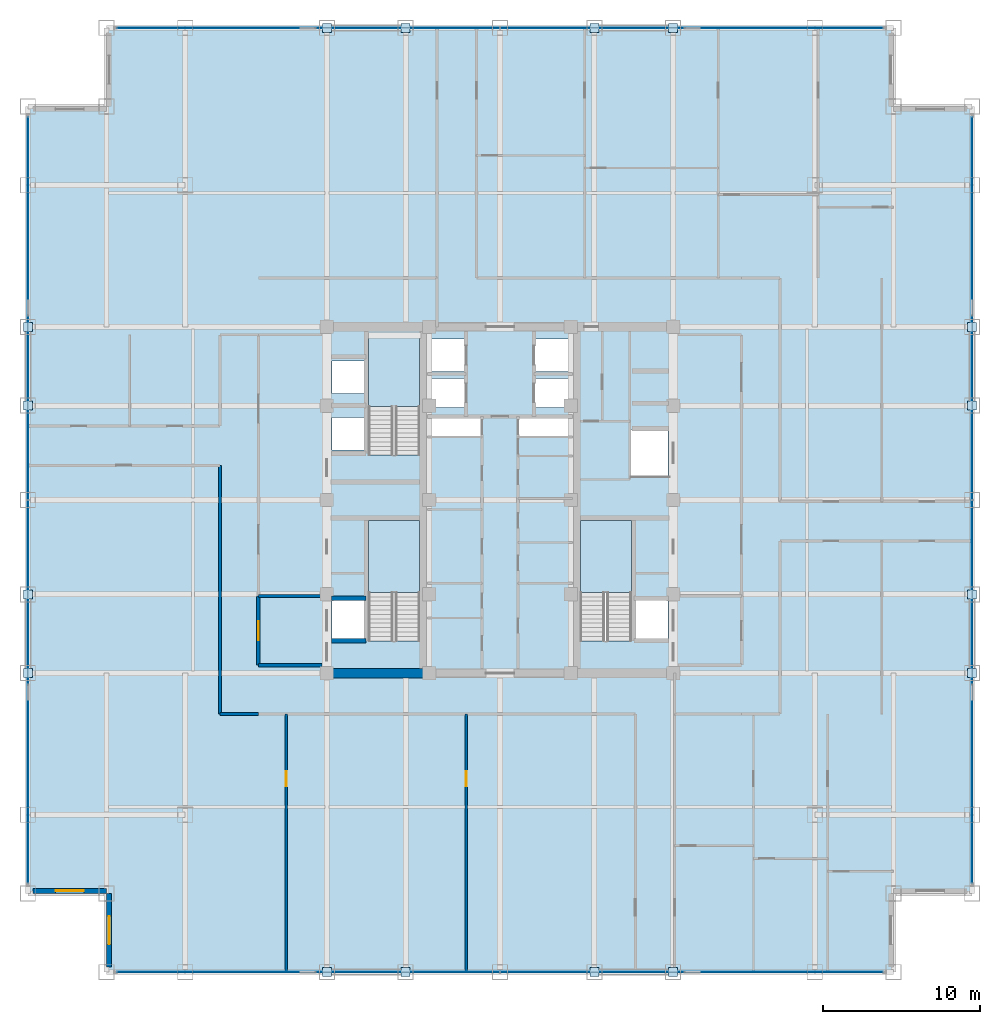
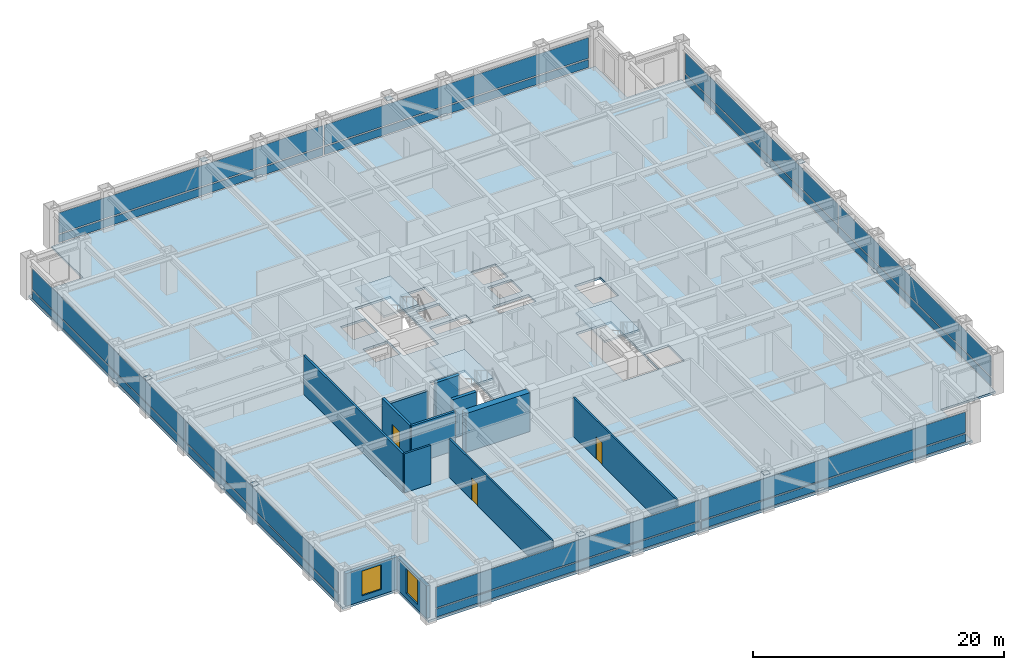
# One storey, part 19 of 25: 32 plates, 12 walls, 4 slabs, 3 doors, 2 windows, 5 openings, 7 elements without a shape of their own.
"""IFC4 building model written with IfcOpenShell, lengths in metres."""

import ifcopenshell
import ifcopenshell.guid

model = None  # the IFC model being written
_history = None  # IfcOwnerHistory: only IFC2X3 demands one
_inside = {}  # id of a spatial element -> (the spatial element, [elements in it])
_under = {}  # id of a project, library or spatial element -> (it, [spatial elements below it])
_declared = {}  # id of a project -> (the project, [libraries it declares])
_typed = {}  # id of a type object -> (the type object, [elements of that type])
_made_of = {}  # id of a material, layer set ... -> (it, [elements and type objects made of it])


def new_model(schema):
    """Start an empty IFC model of exactly this schema.

    Asked for "IFC4X3", IfcOpenShell would pick the latest addendum, in which some entities
    have other attributes; the version numbers below select the first issue.
    IFC2X3 requires an IfcOwnerHistory on every rooted entity: one is made here for all.
    """
    global model, _history
    if schema == "IFC4X3":
        model = ifcopenshell.file(schema_version=(4, 3, 0, 0))
    else:
        model = ifcopenshell.file(schema=schema)
    _inside.clear()
    _under.clear()
    _declared.clear()
    _typed.clear()
    _made_of.clear()
    _history = None
    if model.schema == "IFC2X3":
        org = make("IfcOrganization", Name="unknown")
        user = make(
            "IfcPersonAndOrganization",
            ThePerson=make("IfcPerson", FamilyName="unknown"),
            TheOrganization=org,
        )
        app = make(
            "IfcApplication",
            ApplicationDeveloper=org,
            Version="unknown",
            ApplicationFullName="unknown",
            ApplicationIdentifier="unknown",
        )
        _history = make(
            "IfcOwnerHistory",
            OwningUser=user,
            OwningApplication=app,
            ChangeAction="ADDED",
            CreationDate=0,
        )
    return model


def make(cls, **values):
    """One entity of the class cls with the attributes given. An attribute that is None is left unset."""
    return model.create_entity(
        cls, **{name: value for name, value in values.items() if value is not None}
    )


def rooted(cls, **values):
    """An entity with a GlobalId (a new one), such as an element, a storey or a relation."""
    return make(cls, GlobalId=ifcopenshell.guid.new(), OwnerHistory=_history, **values)


def si_unit(unit_type, name, prefix=None):
    """IfcSIUnit, for example si_unit("LENGTHUNIT", "METRE", prefix="MILLI")."""
    return make("IfcSIUnit", UnitType=unit_type, Prefix=prefix, Name=name)


def assignment(units):
    """IfcUnitAssignment: the units of a project."""
    return None if units is None else make("IfcUnitAssignment", Units=units)


def point(xyz):
    """IfcCartesianPoint."""
    return None if xyz is None else make("IfcCartesianPoint", Coordinates=xyz)


def direction(xyz):
    """IfcDirection."""
    return None if xyz is None else make("IfcDirection", DirectionRatios=xyz)


def frame(location, z_axis=None, x_axis=None):
    """IfcAxis2Placement3D, a coordinate frame: its origin and axes. An axis left out is left unset."""
    return make(
        "IfcAxis2Placement3D",
        Location=point(location),
        Axis=direction(z_axis),
        RefDirection=direction(x_axis),
    )


def frame_2d(location, x_axis=None):
    """IfcAxis2Placement2D, a coordinate frame in the plane: its origin and x axis."""
    return make(
        "IfcAxis2Placement2D", Location=point(location), RefDirection=direction(x_axis)
    )


def origin():
    """The frame at (0, 0, 0) with its axes left unset."""
    return frame((0.0, 0.0, 0.0))


def origin_2d():
    """The frame at (0, 0) in the plane with its x axis left unset."""
    return frame_2d((0.0, 0.0))


def place(relative_to, where):
    """IfcLocalPlacement: puts the frame where relative to a parent placement (None: the world)."""
    return make(
        "IfcLocalPlacement", PlacementRelTo=relative_to, RelativePlacement=where
    )


def context(
    kind, dimensions, precision=None, world=None, true_north=None, identifier=None
):
    """IfcGeometricRepresentationContext, for example the 3D "Model" context."""
    return make(
        "IfcGeometricRepresentationContext",
        ContextIdentifier=identifier,
        ContextType=kind,
        CoordinateSpaceDimension=dimensions,
        Precision=precision,
        WorldCoordinateSystem=world,
        TrueNorth=true_north,
    )


def subcontext(parent, identifier, kind, view, scale=None):
    """IfcGeometricRepresentationSubContext, for example "Body" below "Model"."""
    return make(
        "IfcGeometricRepresentationSubContext",
        ContextIdentifier=identifier,
        ContextType=kind,
        ParentContext=parent,
        TargetScale=scale,
        TargetView=view,
    )


def project(units=None, contexts=None):
    """IfcProject with its units and contexts."""
    return rooted(
        "IfcProject",
        Name="project",
        RepresentationContexts=contexts,
        UnitsInContext=assignment(units),
    )


def spatial(cls, under=None, at=None, **own):
    """A site, building, storey or space (cls), placed at a placement, below another one or the project."""
    s = rooted(cls, ObjectPlacement=at, **own)
    if under is not None:
        _under.setdefault(under.id(), (under, []))[1].append(s)
    return s


def polyline(points):
    """IfcPolyline through the points."""
    return make("IfcPolyline", Points=[point(p) for p in points])


def profile(cls, at=None, kind="AREA", **sizes):
    """A parametric profile (cls). Its sizes go by their IFC names, for example OverallWidth=200.0."""
    return make(cls, ProfileType=kind, Position=at, **sizes)


def rectangle(**sizes):
    """IfcRectangleProfileDef."""
    return profile("IfcRectangleProfileDef", **sizes)


def outline(outer, holes=None, kind="AREA"):
    """IfcArbitraryClosedProfileDef: a profile drawn as a closed curve; with holes, ...WithVoids."""
    if holes is None:
        return make("IfcArbitraryClosedProfileDef", ProfileType=kind, OuterCurve=outer)
    return make(
        "IfcArbitraryProfileDefWithVoids",
        ProfileType=kind,
        OuterCurve=outer,
        InnerCurves=holes,
    )


def extrude(swept, where, along, depth):
    """IfcExtrudedAreaSolid: the profile swept, set in the frame where, extruded along a direction by depth."""
    return make(
        "IfcExtrudedAreaSolid",
        SweptArea=swept,
        Position=where,
        ExtrudedDirection=direction(along),
        Depth=depth,
    )


def shape(context_of_items, identifier, shape_type, items):
    """IfcShapeRepresentation: the items that make up one representation, for example the "Body"."""
    return make(
        "IfcShapeRepresentation",
        ContextOfItems=context_of_items,
        RepresentationIdentifier=identifier,
        RepresentationType=shape_type,
        Items=items,
    )


def source(mapping_origin, context_of_items, identifier, shape_type, items):
    """IfcRepresentationMap: a shape defined once, which mapped items show again and again."""
    return make(
        "IfcRepresentationMap",
        MappingOrigin=mapping_origin,
        MappedRepresentation=shape(context_of_items, identifier, shape_type, items),
    )


def transform(
    local_origin,
    x_axis=None,
    y_axis=None,
    z_axis=None,
    scale=None,
    scale2=None,
    scale3=None,
    uniform=True,
):
    """IfcCartesianTransformationOperator3D, or its non-uniform kind. x_axis, y_axis, z_axis: its Axis1, 2, 3."""
    if uniform:
        return make(
            "IfcCartesianTransformationOperator3D",
            Axis1=direction(x_axis),
            Axis2=direction(y_axis),
            LocalOrigin=point(local_origin),
            Scale=scale,
            Axis3=direction(z_axis),
        )
    return make(
        "IfcCartesianTransformationOperator3DnonUniform",
        Axis1=direction(x_axis),
        Axis2=direction(y_axis),
        LocalOrigin=point(local_origin),
        Scale=scale,
        Axis3=direction(z_axis),
        Scale2=scale2,
        Scale3=scale3,
    )


def mapped(mapping_source, mapping_target):
    """IfcMappedItem: shows the shape of a source again, moved by a transform."""
    return make(
        "IfcMappedItem", MappingSource=mapping_source, MappingTarget=mapping_target
    )


def material(Name=None, Category=None):
    """IfcMaterial."""
    return make("IfcMaterial", Name=Name, Category=Category)


def layer(
    of_material, thickness, ventilated=None, Name=None, Category=None, Priority=None
):
    """IfcMaterialLayer: one layer of a wall or slab, of a material (None: an air gap)."""
    return make(
        "IfcMaterialLayer",
        Material=of_material,
        LayerThickness=thickness,
        IsVentilated=ventilated,
        Name=Name,
        Category=Category,
        Priority=Priority,
    )


def layer_set(layers, Name=None):
    """IfcMaterialLayerSet."""
    return make("IfcMaterialLayerSet", MaterialLayers=layers, LayerSetName=Name)


def made_of(thing, what):
    """Note that an element or type object is made of a material, layer set ...; save() writes the relation."""
    if what is not None:
        _made_of.setdefault(what.id(), (what, []))[1].append(thing)
    return thing


def type_object(cls, material=None, **own):
    """A type object (cls), such as IfcWallType, which elements share."""
    return made_of(rooted(cls, **own), material)


def element(
    cls,
    number,
    at=None,
    inside=None,
    cuts=None,
    type_object=None,
    material=None,
    context=None,
    identifier="Body",
    shape_type=None,
    held_by="IfcProductDefinitionShape",
    body=None,
    shapes=None,
    **own,
):
    """One element of the class cls, such as IfcWall. Its Tag is "e" and its number.

    at: its placement. inside: the storey or other place that contains it. cuts: it is an
    opening in that element (IfcRelVoidsElement). A single representation is given by context,
    identifier, shape_type and body (its items); several are given by shapes. held_by: the class
    of the entity that holds the representations. save() writes the other relations.
    """
    e = rooted(cls, Tag="e%d" % number, ObjectPlacement=at, **own)
    if body is not None:
        shapes = [shape(context, identifier, shape_type, body)]
    if shapes is not None:
        e.Representation = make(held_by, Representations=shapes)
    if inside is not None:
        _inside.setdefault(inside.id(), (inside, []))[1].append(e)
    if cuts is not None:
        rooted(
            "IfcRelVoidsElement", RelatingBuildingElement=cuts, RelatedOpeningElement=e
        )
    if type_object is not None:
        _typed.setdefault(type_object.id(), (type_object, []))[1].append(e)
    return made_of(e, material)


def fill(opening, filler):
    """IfcRelFillsElement: the door or window that sits in an opening."""
    return rooted(
        "IfcRelFillsElement",
        RelatingOpeningElement=opening,
        RelatedBuildingElement=filler,
    )


def aggregate(whole, parts):
    """IfcRelAggregates: a whole, such as a stair, and the parts it consists of."""
    return rooted("IfcRelAggregates", RelatingObject=whole, RelatedObjects=parts)


def save(model, path):
    """Write the relations noted so far, then the file.

    IfcRelAggregates (storeys below a building ...), IfcRelContainedInSpatialStructure (elements
    in a storey), IfcRelDefinesByType, IfcRelAssociatesMaterial and IfcRelDeclares: one each for
    every whole, place, type object, material and project.
    """
    for whole, parts in _under.values():
        aggregate(whole, parts)
    for where, things in _inside.values():
        rooted(
            "IfcRelContainedInSpatialStructure",
            RelatedElements=things,
            RelatingStructure=where,
        )
    for kind, things in _typed.values():
        rooted("IfcRelDefinesByType", RelatedObjects=things, RelatingType=kind)
    for what, things in _made_of.values():
        rooted("IfcRelAssociatesMaterial", RelatedObjects=things, RelatingMaterial=what)
    for by, libraries in _declared.values():
        rooted("IfcRelDeclares", RelatingContext=by, RelatedDefinitions=libraries)
    model.write(path)


model = new_model("IFC4")

# Units and contexts
model_context = context("Model", 3, precision=1e-05, world=origin(), true_north=direction((0.0, 1.0)))
body_context = subcontext(model_context, "Body", "Model", "MODEL_VIEW")
ifc_project = project(units=[si_unit("LENGTHUNIT", "METRE"), si_unit("AREAUNIT", "SQUARE_METRE"), si_unit("VOLUMEUNIT", "CUBIC_METRE"), si_unit("PLANEANGLEUNIT", "RADIAN"), si_unit("MASSUNIT", "GRAM", prefix="KILO")], contexts=[model_context])

# Site, building, storey
site_placement = place(None, origin())
site = spatial("IfcSite", under=ifc_project, at=site_placement, CompositionType="ELEMENT")
building_placement = place(site_placement, origin())
building = spatial("IfcBuilding", under=site, at=building_placement, Name="Khorayat Bourse Tower", CompositionType="ELEMENT")
storey_placement = place(building_placement, frame((0.0, 0.0, 255.10009765625)))
storey = spatial("IfcBuildingStorey", under=building, at=storey_placement, Name="L60", CompositionType="ELEMENT", Elevation=255.10009765625)

# Stair, slab
ifc_material_1 = material(Name="Concrete C40/50", Category="concrete")
stair_type = type_object("IfcStairType", Name="STR-CORE-1550", PredefinedType="HALF_TURN_STAIR", material=ifc_material_1)
stair_1_placement = place(storey_placement, origin())
stair_1 = element("IfcStair", 1, at=stair_1_placement, inside=storey, type_object=stair_type, Name="L60 Exit Stair ST-1", PredefinedType="HALF_TURN_STAIR")
ifc_layer_1 = layer(ifc_material_1, 0.199951171875)
ifc_layer_set_1 = layer_set([ifc_layer_1], Name="Concrete C40/50")
slab_type_1 = type_object("IfcSlabType", Name="SLB-LANDING-200", PredefinedType="LANDING", material=ifc_layer_set_1)
slab_1_placement = place(storey_placement, frame((0.0, 0.0, 1.7998046875)))
slab_1 = element("IfcSlab", 2, at=slab_1_placement, type_object=slab_type_1, Name="ST-1 landing 1", PredefinedType="LANDING", context=body_context, shape_type="SweptSolid", body=[
    extrude(outline(polyline([(-5.10009765625, -5.8701171875), (-5.10009765625, -1.300048828125), (-8.35009765625, -1.300048828125), (-8.35009765625, -5.8701171875), (-5.10009765625, -5.8701171875)])), origin(), (0.0, 0.0, 1.0), 0.2001953125),
])
aggregate(stair_1, [slab_1])

stair_2_placement = place(storey_placement, origin())
stair_2 = element("IfcStair", 3, at=stair_2_placement, inside=storey, type_object=stair_type, Name="L60 Exit Stair ST-2", PredefinedType="HALF_TURN_STAIR")
slab_2_placement = place(storey_placement, frame((0.0, 0.0, 1.7998046875)))
slab_2 = element("IfcSlab", 4, at=slab_2_placement, type_object=slab_type_1, Name="ST-2 landing 1", PredefinedType="LANDING", context=body_context, shape_type="SweptSolid", body=[
    extrude(outline(polyline([(-5.10009765625, 5.929931640625), (-5.10009765625, 10.5), (-8.35009765625, 10.5), (-8.35009765625, 5.929931640625), (-5.10009765625, 5.929931640625)])), origin(), (0.0, 0.0, 1.0), 0.2001953125),
])
aggregate(stair_2, [slab_2])

stair_3_placement = place(storey_placement, origin())
stair_3 = element("IfcStair", 5, at=stair_3_placement, inside=storey, type_object=stair_type, Name="L60 Exit Stair ST-3", PredefinedType="HALF_TURN_STAIR")
slab_3_placement = place(storey_placement, frame((0.0, 0.0, 1.7998046875)))
slab_3 = element("IfcSlab", 6, at=slab_3_placement, type_object=slab_type_1, Name="ST-3 landing 1", PredefinedType="LANDING", context=body_context, shape_type="SweptSolid", body=[
    extrude(outline(polyline([(8.35009765625, -5.8701171875), (8.35009765625, -1.300048828125), (5.10009765625, -1.300048828125), (5.10009765625, -5.8701171875), (8.35009765625, -5.8701171875)])), origin(), (0.0, 0.0, 1.0), 0.2001953125),
])
aggregate(stair_3, [slab_3])

# Slab
ifc_layer_2 = layer(ifc_material_1, 0.219970703125)
ifc_layer_set_2 = layer_set([ifc_layer_2], Name="Concrete C40/50")
slab_type_2 = type_object("IfcSlabType", Name="SLB-OFFICE-220", PredefinedType="FLOOR", material=ifc_layer_set_2)
slab_4_placement = place(storey_placement, frame((0.0, 0.0, -0.22021484375)))
element("IfcSlab", 7, at=slab_4_placement, inside=storey, type_object=slab_type_2, Name="L60 Main Floor Slab", PredefinedType="FLOOR", context=body_context, shape_type="SweptSolid", body=[
    extrude(outline(polyline([(-25.0, -30.0), (25.0, -30.0), (25.0, -25.0), (30.0, -25.0), (30.0, 25.0), (25.0, 25.0), (25.0, 30.0), (-25.0, 30.0), (-25.0, 25.0), (-30.0, 25.0), (-30.0, -25.0), (-25.0, -25.0), (-25.0, -30.0)]), holes=[polyline([(-8.35009765625, -8.945068359375), (-5.10009765625, -8.945068359375), (-5.10009765625, -1.300048828125), (-8.35009765625, -1.300048828125), (-8.35009765625, -8.945068359375)]), polyline([(-8.35009765625, 2.85498046875), (-5.10009765625, 2.85498046875), (-5.10009765625, 10.5), (-8.35009765625, 10.5), (-8.35009765625, 2.85498046875)]), polyline([(5.10009765625, -8.945068359375), (8.35009765625, -8.945068359375), (8.35009765625, -1.300048828125), (5.10009765625, -1.300048828125), (5.10009765625, -8.945068359375)]), polyline([(-4.3798828125, 8.169921875), (-2.1201171875, 8.169921875), (-2.1201171875, 10.22998046875), (-4.3798828125, 10.22998046875), (-4.3798828125, 8.169921875)]), polyline([(2.1201171875, 8.169921875), (4.3798828125, 8.169921875), (4.3798828125, 10.22998046875), (2.1201171875, 10.22998046875), (2.1201171875, 8.169921875)]), polyline([(-4.3798828125, 5.8701171875), (-2.219970703125, 5.8701171875), (-2.219970703125, 7.72998046875), (-4.3798828125, 7.72998046875), (-4.3798828125, 5.8701171875)]), polyline([(2.219970703125, 5.8701171875), (4.3798828125, 5.8701171875), (4.3798828125, 7.72998046875), (2.219970703125, 7.72998046875), (2.219970703125, 5.8701171875)]), polyline([(-10.679931640625, 3.169921875), (-8.419921875, 3.169921875), (-8.419921875, 5.22998046875), (-10.679931640625, 5.22998046875), (-10.679931640625, 3.169921875)]), polyline([(-10.679931640625, 6.77001953125), (-8.419921875, 6.77001953125), (-8.419921875, 8.830078125), (-10.679931640625, 8.830078125), (-10.679931640625, 6.77001953125)]), polyline([(-10.679931640625, -8.929931640625), (-8.419921875, -8.929931640625), (-8.419921875, -6.3701171875), (-10.679931640625, -6.3701171875), (-10.679931640625, -8.929931640625)]), polyline([(8.419921875, -8.929931640625), (10.679931640625, -8.929931640625), (10.679931640625, -6.3701171875), (8.419921875, -6.3701171875), (8.419921875, -8.929931640625)]), polyline([(8.320068359375, 1.52001953125), (10.679931640625, 1.52001953125), (10.679931640625, 4.47998046875), (8.320068359375, 4.47998046875), (8.320068359375, 1.52001953125)]), polyline([(-4.56005859375, 4.080078125), (-1.18994140625, 4.080078125), (-1.18994140625, 5.219970703125), (-4.56005859375, 5.219970703125), (-4.56005859375, 4.080078125)]), polyline([(1.18994140625, 4.080078125), (4.56005859375, 4.080078125), (4.56005859375, 5.219970703125), (1.18994140625, 5.219970703125), (1.18994140625, 4.080078125)])]), origin(), (0.0, 0.0, 1.0), 0.22021484375),
])

# Plates
ifc_material_2 = material(Name="Steel EN 10025-2 S355J2", Category="steel")
ifc_layer_3 = layer(ifc_material_2, 0.02490234375)
ifc_layer_set_3 = layer_set([ifc_layer_3], Name="Steel EN 10025-2 S355J2")
plate_type_1 = type_object("IfcPlateType", Name="PLT-ENDCAP-25", PredefinedType="SHEET", material=ifc_layer_set_3)
shared_shape_1 = source(origin(), body_context, "Body", "SweptSolid", [
    extrude(rectangle(XDim=0.56005859375, YDim=0.56005859375, at=origin_2d()), origin(), (0.0, 0.0, 1.0), 0.02490234375),
])
for number, where, z_axis, x_axis, name in (
    (8, (-11.0, -30.0, 3.517333984375), (0.0, 0.0, 1.0), (1.0, 0.0, 0.0), "L60 Perimeter Brace End Plate 001"),
    (9, (-6.0, -30.0, 0.237548828125), (0.0, 0.0, 1.0), (1.0, 0.0, 0.0), "L60 Perimeter Brace End Plate 002"),
    (10, (6.0, -30.0, 3.517333984375), (0.0, 0.0, 1.0), (1.0, 0.0, 0.0), "L60 Perimeter Brace End Plate 003"),
    (11, (11.0, -30.0, 0.237548828125), (0.0, 0.0, 1.0), (1.0, 0.0, 0.0), "L60 Perimeter Brace End Plate 004"),
    (12, (-11.0, 30.0, 3.517333984375), (0.0, 0.0, 1.0), (1.0, 0.0, 0.0), "L60 Perimeter Brace End Plate 005"),
    (13, (-6.0, 30.0, 0.237548828125), (0.0, 0.0, 1.0), (1.0, 0.0, 0.0), "L60 Perimeter Brace End Plate 006"),
    (14, (6.0, 30.0, 3.517333984375), (0.0, 0.0, 1.0), (1.0, 0.0, 0.0), "L60 Perimeter Brace End Plate 007"),
    (15, (11.0, 30.0, 0.237548828125), (0.0, 0.0, 1.0), (1.0, 0.0, 0.0), "L60 Perimeter Brace End Plate 008"),
    (16, (-30.0, -11.0, 3.517333984375), (0.0, 0.0, 1.0), (1.0, 0.0, 0.0), "L60 Perimeter Brace End Plate 009"),
    (17, (-30.0, -6.0, 0.237548828125), (0.0, 0.0, 1.0), (1.0, 0.0, 0.0), "L60 Perimeter Brace End Plate 010"),
    (18, (-30.0, 6.0, 3.517333984375), (0.0, 0.0, 1.0), (1.0, 0.0, 0.0), "L60 Perimeter Brace End Plate 011"),
    (19, (-30.0, 11.0, 0.237548828125), (0.0, 0.0, 1.0), (1.0, 0.0, 0.0), "L60 Perimeter Brace End Plate 012"),
    (20, (30.0, -11.0, 3.517333984375), (0.0, 0.0, 1.0), (1.0, 0.0, 0.0), "L60 Perimeter Brace End Plate 013"),
    (21, (30.0, -6.0, 0.237548828125), (0.0, 0.0, 1.0), (1.0, 0.0, 0.0), "L60 Perimeter Brace End Plate 014"),
    (22, (30.0, 6.0, 3.517333984375), (0.0, 0.0, 1.0), (1.0, 0.0, 0.0), "L60 Perimeter Brace End Plate 015"),
    (23, (30.0, 11.0, 0.237548828125), (0.0, 0.0, 1.0), (1.0, 0.0, 0.0), "L60 Perimeter Brace End Plate 016"),
):
    element("IfcPlate", number, at=place(storey_placement, frame(where, z_axis=z_axis, x_axis=x_axis)), inside=storey, type_object=plate_type_1, Name=name, PredefinedType="SHEET", context=body_context, shape_type="MappedRepresentation", body=[
        mapped(shared_shape_1, transform((0.0, 0.0, 0.0), scale=1.0)),
    ])

# Curtain wall, plates
ifc_material_3 = material(Name="Aluminium EN AW-6063 T6", Category="aluminium")
curtain_wall_type = type_object("IfcCurtainWallType", Name="CW-SYS-03", PredefinedType="NOTDEFINED", material=ifc_material_3)
curtain_wall_1_placement = place(storey_placement, origin())
curtain_wall_1 = element("IfcCurtainWall", 24, at=curtain_wall_1_placement, inside=storey, type_object=curtain_wall_type, Name="L60 Curtain Wall CW-L60-S1", PredefinedType="NOTDEFINED")
ifc_material_4 = material(Name="Honed desert limestone insulated spandrel", Category="masonry")
ifc_layer_4 = layer(ifc_material_4, 0.06494140625)
ifc_layer_set_4 = layer_set([ifc_layer_4], Name="Honed desert limestone insulated spandrel")
plate_type_2 = type_object("IfcPlateType", Name="CWP-SPAND-03", PredefinedType="CURTAIN_PANEL", material=ifc_layer_set_4)
shared_shape_2 = source(origin(), body_context, "Body", "SweptSolid", [
    extrude(rectangle(XDim=24.27001953125, YDim=0.06494140625, at=origin_2d()), origin(), (0.0, 0.0, 1.0), 0.77001953125),
])
plate_1_placement = place(storey_placement, frame((-12.195068359375, -30.0, 0.119873046875), z_axis=(0.0, 0.0, 1.0), x_axis=(1.0, 0.0, 0.0)))
plate_1 = element("IfcPlate", 25, at=plate_1_placement, type_object=plate_type_2, Name="CW-L60-S1 Spandrel Panel 1-1", PredefinedType="CURTAIN_PANEL", context=body_context, shape_type="MappedRepresentation", body=[
    mapped(shared_shape_2, transform((0.0, 0.0, 0.0), scale=1.0)),
])
plate_2_placement = place(storey_placement, frame((12.195068359375, -30.0, 0.119873046875), z_axis=(0.0, 0.0, 1.0), x_axis=(1.0, 0.0, 0.0)))
plate_2 = element("IfcPlate", 26, at=plate_2_placement, type_object=plate_type_2, Name="CW-L60-S1 Spandrel Panel 2-1", PredefinedType="CURTAIN_PANEL", context=body_context, shape_type="MappedRepresentation", body=[
    mapped(shared_shape_2, transform((0.0, 0.0, 0.0), scale=1.0)),
])

curtain_wall_2_placement = place(storey_placement, origin())
curtain_wall_2 = element("IfcCurtainWall", 27, at=curtain_wall_2_placement, inside=storey, type_object=curtain_wall_type, Name="L60 Curtain Wall CW-L60-N1", PredefinedType="NOTDEFINED")
plate_3_placement = place(storey_placement, frame((-12.195068359375, 30.0, 0.119873046875), z_axis=(0.0, 0.0, 1.0), x_axis=(1.0, 0.0, 0.0)))
plate_3 = element("IfcPlate", 28, at=plate_3_placement, type_object=plate_type_2, Name="CW-L60-N1 Spandrel Panel 1-1", PredefinedType="CURTAIN_PANEL", context=body_context, shape_type="MappedRepresentation", body=[
    mapped(shared_shape_2, transform((0.0, 0.0, 0.0), scale=1.0)),
])
plate_4_placement = place(storey_placement, frame((12.195068359375, 30.0, 0.119873046875), z_axis=(0.0, 0.0, 1.0), x_axis=(1.0, 0.0, 0.0)))
plate_4 = element("IfcPlate", 29, at=plate_4_placement, type_object=plate_type_2, Name="CW-L60-N1 Spandrel Panel 2-1", PredefinedType="CURTAIN_PANEL", context=body_context, shape_type="MappedRepresentation", body=[
    mapped(shared_shape_2, transform((0.0, 0.0, 0.0), scale=1.0)),
])

curtain_wall_3_placement = place(storey_placement, origin())
curtain_wall_3 = element("IfcCurtainWall", 30, at=curtain_wall_3_placement, inside=storey, type_object=curtain_wall_type, Name="L60 Curtain Wall CW-L60-W1", PredefinedType="NOTDEFINED")
plate_5_placement = place(storey_placement, frame((-30.0, -12.195068359375, 0.119873046875), z_axis=(0.0, 0.0, 1.0), x_axis=(0.0, 1.0, 0.0)))
plate_5 = element("IfcPlate", 31, at=plate_5_placement, type_object=plate_type_2, Name="CW-L60-W1 Spandrel Panel 1-1", PredefinedType="CURTAIN_PANEL", context=body_context, shape_type="MappedRepresentation", body=[
    mapped(shared_shape_2, transform((0.0, 0.0, 0.0), scale=1.0)),
])
plate_6_placement = place(storey_placement, frame((-30.0, 12.195068359375, 0.119873046875), z_axis=(0.0, 0.0, 1.0), x_axis=(0.0, 1.0, 0.0)))
plate_6 = element("IfcPlate", 32, at=plate_6_placement, type_object=plate_type_2, Name="CW-L60-W1 Spandrel Panel 2-1", PredefinedType="CURTAIN_PANEL", context=body_context, shape_type="MappedRepresentation", body=[
    mapped(shared_shape_2, transform((0.0, 0.0, 0.0), scale=1.0)),
])

curtain_wall_4_placement = place(storey_placement, origin())
curtain_wall_4 = element("IfcCurtainWall", 33, at=curtain_wall_4_placement, inside=storey, type_object=curtain_wall_type, Name="L60 Curtain Wall CW-L60-E1", PredefinedType="NOTDEFINED")
plate_7_placement = place(storey_placement, frame((30.0, -12.195068359375, 0.119873046875), z_axis=(0.0, 0.0, 1.0), x_axis=(0.0, 1.0, 0.0)))
plate_7 = element("IfcPlate", 34, at=plate_7_placement, type_object=plate_type_2, Name="CW-L60-E1 Spandrel Panel 1-1", PredefinedType="CURTAIN_PANEL", context=body_context, shape_type="MappedRepresentation", body=[
    mapped(shared_shape_2, transform((0.0, 0.0, 0.0), scale=1.0)),
])
plate_8_placement = place(storey_placement, frame((30.0, 12.195068359375, 0.119873046875), z_axis=(0.0, 0.0, 1.0), x_axis=(0.0, 1.0, 0.0)))
plate_8 = element("IfcPlate", 35, at=plate_8_placement, type_object=plate_type_2, Name="CW-L60-E1 Spandrel Panel 2-1", PredefinedType="CURTAIN_PANEL", context=body_context, shape_type="MappedRepresentation", body=[
    mapped(shared_shape_2, transform((0.0, 0.0, 0.0), scale=1.0)),
])

# Plate
ifc_material_5 = material(Name="Low-E solar-control laminated double glazing", Category="glass")
ifc_layer_5 = layer(ifc_material_5, 0.035888671875)
ifc_layer_set_5 = layer_set([ifc_layer_5], Name="Low-E solar-control laminated double glazing")
plate_type_3 = type_object("IfcPlateType", Name="CWP-VIS-01", PredefinedType="CURTAIN_PANEL", material=ifc_layer_set_5)
shared_shape_3 = source(origin(), body_context, "Body", "SweptSolid", [
    extrude(rectangle(XDim=24.27001953125, YDim=0.035888671875, at=origin_2d()), origin(), (0.0, 0.0, 1.0), 2.0),
])
plate_9_placement = place(storey_placement, frame((-12.195068359375, -30.0, 1.010009765625), z_axis=(0.0, 0.0, 1.0), x_axis=(1.0, 0.0, 0.0)))
plate_9 = element("IfcPlate", 36, at=plate_9_placement, type_object=plate_type_3, Name="CW-L60-S1 Vision Panel 1-2", PredefinedType="CURTAIN_PANEL", context=body_context, shape_type="MappedRepresentation", body=[
    mapped(shared_shape_3, transform((0.0, 0.0, 0.0), scale=1.0)),
])

plate_10_placement = place(storey_placement, frame((12.195068359375, -30.0, 1.010009765625), z_axis=(0.0, 0.0, 1.0), x_axis=(1.0, 0.0, 0.0)))
plate_10 = element("IfcPlate", 37, at=plate_10_placement, type_object=plate_type_3, Name="CW-L60-S1 Vision Panel 2-2", PredefinedType="CURTAIN_PANEL", context=body_context, shape_type="MappedRepresentation", body=[
    mapped(shared_shape_3, transform((0.0, 0.0, 0.0), scale=1.0)),
])

aggregate(curtain_wall_1, [plate_1, plate_9, plate_2, plate_10])

plate_11_placement = place(storey_placement, frame((-12.195068359375, 30.0, 1.010009765625), z_axis=(0.0, 0.0, 1.0), x_axis=(1.0, 0.0, 0.0)))
plate_11 = element("IfcPlate", 38, at=plate_11_placement, type_object=plate_type_3, Name="CW-L60-N1 Vision Panel 1-2", PredefinedType="CURTAIN_PANEL", context=body_context, shape_type="MappedRepresentation", body=[
    mapped(shared_shape_3, transform((0.0, 0.0, 0.0), scale=1.0)),
])

plate_12_placement = place(storey_placement, frame((12.195068359375, 30.0, 1.010009765625), z_axis=(0.0, 0.0, 1.0), x_axis=(1.0, 0.0, 0.0)))
plate_12 = element("IfcPlate", 39, at=plate_12_placement, type_object=plate_type_3, Name="CW-L60-N1 Vision Panel 2-2", PredefinedType="CURTAIN_PANEL", context=body_context, shape_type="MappedRepresentation", body=[
    mapped(shared_shape_3, transform((0.0, 0.0, 0.0), scale=1.0)),
])

aggregate(curtain_wall_2, [plate_3, plate_11, plate_4, plate_12])

plate_13_placement = place(storey_placement, frame((-30.0, -12.195068359375, 1.010009765625), z_axis=(0.0, 0.0, 1.0), x_axis=(0.0, 1.0, 0.0)))
plate_13 = element("IfcPlate", 40, at=plate_13_placement, type_object=plate_type_3, Name="CW-L60-W1 Vision Panel 1-2", PredefinedType="CURTAIN_PANEL", context=body_context, shape_type="MappedRepresentation", body=[
    mapped(shared_shape_3, transform((0.0, 0.0, 0.0), scale=1.0)),
])

plate_14_placement = place(storey_placement, frame((-30.0, 12.195068359375, 1.010009765625), z_axis=(0.0, 0.0, 1.0), x_axis=(0.0, 1.0, 0.0)))
plate_14 = element("IfcPlate", 41, at=plate_14_placement, type_object=plate_type_3, Name="CW-L60-W1 Vision Panel 2-2", PredefinedType="CURTAIN_PANEL", context=body_context, shape_type="MappedRepresentation", body=[
    mapped(shared_shape_3, transform((0.0, 0.0, 0.0), scale=1.0)),
])

aggregate(curtain_wall_3, [plate_5, plate_13, plate_6, plate_14])

plate_15_placement = place(storey_placement, frame((30.0, -12.195068359375, 1.010009765625), z_axis=(0.0, 0.0, 1.0), x_axis=(0.0, 1.0, 0.0)))
plate_15 = element("IfcPlate", 42, at=plate_15_placement, type_object=plate_type_3, Name="CW-L60-E1 Vision Panel 1-2", PredefinedType="CURTAIN_PANEL", context=body_context, shape_type="MappedRepresentation", body=[
    mapped(shared_shape_3, transform((0.0, 0.0, 0.0), scale=1.0)),
])

plate_16_placement = place(storey_placement, frame((30.0, 12.195068359375, 1.010009765625), z_axis=(0.0, 0.0, 1.0), x_axis=(0.0, 1.0, 0.0)))
plate_16 = element("IfcPlate", 43, at=plate_16_placement, type_object=plate_type_3, Name="CW-L60-E1 Vision Panel 2-2", PredefinedType="CURTAIN_PANEL", context=body_context, shape_type="MappedRepresentation", body=[
    mapped(shared_shape_3, transform((0.0, 0.0, 0.0), scale=1.0)),
])

aggregate(curtain_wall_4, [plate_7, plate_15, plate_8, plate_16])

# Wall
ifc_material_6 = material(Name="Concrete C60/75", Category="concrete")
ifc_layer_6 = layer(ifc_material_6, 0.60009765625)
ifc_layer_set_6 = layer_set([ifc_layer_6], Name="Concrete C60/75")
wall_type_1 = type_object("IfcWallType", Name="WAL-CORE-600", PredefinedType="SHEAR", material=ifc_layer_set_6)
shared_shape_4 = source(origin(), body_context, "Body", "SweptSolid", [
    extrude(rectangle(XDim=5.89990234375, YDim=0.60009765625, at=frame_2d((2.949951171875, 0.0))), origin(), (0.0, 0.0, 1.0), 3.77978515625),
])
wall_1_placement = place(storey_placement, frame((-10.75, -11.0, 0.0), z_axis=(0.0, 0.0, 1.0), x_axis=(1.0, 0.0, 0.0)))
element("IfcWall", 44, at=wall_1_placement, inside=storey, type_object=wall_type_1, Name="L60 Core Shear Wall PIER-WS", PredefinedType="SHEAR", context=body_context, shape_type="MappedRepresentation", body=[
    mapped(shared_shape_4, transform((0.0, 0.0, 0.0), scale=1.0)),
])

# Wall, opening, window
ifc_material_7 = material(Name="Precast concrete C45/55", Category="concrete")
ifc_layer_7 = layer(ifc_material_7, 0.320068359375)
ifc_layer_set_7 = layer_set([ifc_layer_7], Name="Precast concrete C45/55")
wall_type_2 = type_object("IfcWallType", Name="WAL-EXT-STONE-320", PredefinedType="STANDARD", material=ifc_layer_set_7)
shared_shape_5 = source(origin(), body_context, "Body", "SweptSolid", [
    extrude(rectangle(XDim=4.679931640625, YDim=0.320068359375, at=frame_2d((2.33984375, 0.0))), origin(), (0.0, 0.0, 1.0), 3.163818359375),
])
wall_2_placement = place(storey_placement, frame((-25.0, -24.840087890625, 0.0), z_axis=(0.0, 0.0, 1.0), x_axis=(-1.0, 0.0, 0.0)))
wall_2 = element("IfcWall", 45, at=wall_2_placement, inside=storey, type_object=wall_type_2, Name="L60 Re-Entrant Notch Limestone Wall SW-H", PredefinedType="STANDARD", context=body_context, shape_type="MappedRepresentation", body=[
    mapped(shared_shape_5, transform((0.0, 0.0, 0.0), scale=1.0)),
])
shared_shape_6 = source(origin(), body_context, "Body", "SweptSolid", [
    extrude(rectangle(XDim=1.800048828125, YDim=2.39990234375, at=frame_2d((0.89990234375, 1.199951171875))), frame((0.0, 0.169921875, 0.0), z_axis=(0.0, -1.0, 0.0), x_axis=(1.0, 0.0, 0.0)), (0.0, 0.0, 1.0), 0.340087890625),
])
opening_1_placement = place(wall_2_placement, frame((1.43994140625, 0.0, 0.5)))
opening_1 = element("IfcOpeningElement", 46, at=opening_1_placement, cuts=wall_2, Name="Opening WN-04", PredefinedType="OPENING", context=body_context, shape_type="MappedRepresentation", body=[
    mapped(shared_shape_6, transform((0.0, 0.0, 0.0), scale=1.0)),
])
ifc_material_8 = material(Name="Low-E acoustic laminated double glazing", Category="glass")
window_type = type_object("IfcWindowType", Name="WIN-NOTCH-1800x2400", PartitioningType="SINGLE_PANEL", PredefinedType="WINDOW", material=ifc_material_8)
shared_shape_7 = source(origin(), body_context, "Body", "SweptSolid", [
    extrude(rectangle(XDim=1.800048828125, YDim=2.39990234375, at=frame_2d((0.89990234375, 1.199951171875))), frame((0.0, 0.030029296875, 0.0), z_axis=(0.0, -1.0, 0.0), x_axis=(1.0, 0.0, 0.0)), (0.0, 0.0, 1.0), 0.06005859375),
])
window_1_placement = place(opening_1_placement, origin())
window_1 = element("IfcWindow", 47, at=window_1_placement, inside=storey, type_object=window_type, Name="L60 Facade Window 1", OverallHeight=2.39990234375, OverallWidth=1.800048828125, PartitioningType="SINGLE_PANEL", PredefinedType="WINDOW", context=body_context, shape_type="MappedRepresentation", body=[
    mapped(shared_shape_7, transform((0.0, 0.0, 0.0), scale=1.0)),
])
fill(opening_1, window_1)

wall_3_placement = place(storey_placement, frame((-24.840087890625, -29.679931640625, 0.0), z_axis=(0.0, 0.0, 1.0), x_axis=(0.0, 1.0, 0.0)))
wall_3 = element("IfcWall", 48, at=wall_3_placement, inside=storey, type_object=wall_type_2, Name="L60 Re-Entrant Notch Limestone Wall SW-V", PredefinedType="STANDARD", context=body_context, shape_type="MappedRepresentation", body=[
    mapped(shared_shape_5, transform((0.0, 0.0, 0.0), scale=1.0)),
])
opening_2_placement = place(wall_3_placement, frame((1.43994140625, 0.0, 0.5)))
opening_2 = element("IfcOpeningElement", 49, at=opening_2_placement, cuts=wall_3, Name="Opening WN-04", PredefinedType="OPENING", context=body_context, shape_type="MappedRepresentation", body=[
    mapped(shared_shape_6, transform((0.0, 0.0, 0.0), scale=1.0)),
])
window_2_placement = place(opening_2_placement, origin())
window_2 = element("IfcWindow", 50, at=window_2_placement, inside=storey, type_object=window_type, Name="L60 Facade Window 1", OverallHeight=2.39990234375, OverallWidth=1.800048828125, PartitioningType="SINGLE_PANEL", PredefinedType="WINDOW", context=body_context, shape_type="MappedRepresentation", body=[
    mapped(shared_shape_7, transform((0.0, 0.0, 0.0), scale=1.0)),
])
fill(opening_2, window_2)

# Walls
ifc_material_9 = material(Name="Aerated concrete blockwork", Category="masonry")
ifc_layer_8 = layer(ifc_material_9, 0.219970703125)
ifc_layer_set_8 = layer_set([ifc_layer_8], Name="Aerated concrete blockwork")
wall_type_3 = type_object("IfcWallType", Name="WAL-PART-FF-220", PredefinedType="PARTITIONING", material=ifc_layer_set_8)
shared_shape_8 = source(origin(), body_context, "Body", "SweptSolid", [
    extrude(rectangle(XDim=4.050048828125, YDim=0.219970703125, at=frame_2d((2.02490234375, 0.0))), origin(), (0.0, 0.0, 1.0), 3.0849609375),
])
wall_4_placement = place(storey_placement, frame((-15.35009765625, -6.10009765625, 0.0), z_axis=(0.0, 0.0, 1.0), x_axis=(1.0, 0.0, 0.0)))
element("IfcWall", 51, at=wall_4_placement, inside=storey, type_object=wall_type_3, Name="L60 Partition WAL-L60-FFLW-N", PredefinedType="PARTITIONING", context=body_context, shape_type="MappedRepresentation", body=[
    mapped(shared_shape_8, transform((0.0, 0.0, 0.0), scale=1.0)),
])
ifc_material_10 = material(Name="Concrete C50/60", Category="concrete")
ifc_layer_9 = layer(ifc_material_10, 0.300048828125)
ifc_layer_set_9 = layer_set([ifc_layer_9], Name="Concrete C50/60")
wall_type_4 = type_object("IfcWallType", Name="WAL-SHAFT-300", PredefinedType="SHEAR", material=ifc_layer_set_9)
shared_shape_9 = source(origin(), body_context, "Body", "SweptSolid", [
    extrude(rectangle(XDim=2.199951171875, YDim=0.300048828125, at=frame_2d((1.10009765625, 0.0))), origin(), (0.0, 0.0, 1.0), 3.77978515625),
])
for number, where, z_axis, x_axis, name in (
    (52, (-10.699951171875, -8.949951171875, 0.0), (0.0, 0.0, 1.0), (1.0, 0.0, 0.0), "L60 Partition WAL-L60-WPIER-FF1S"),
    (53, (-10.699951171875, -6.25, 0.0), (0.0, 0.0, 1.0), (1.0, 0.0, 0.0), "L60 Partition WAL-L60-WPIER-FF1N"),
):
    element("IfcWall", number, at=place(storey_placement, frame(where, z_axis=z_axis, x_axis=x_axis)), inside=storey, type_object=wall_type_4, Name=name, PredefinedType="SHEAR", context=body_context, shape_type="MappedRepresentation", body=[
        mapped(shared_shape_9, transform((0.0, 0.0, 0.0), scale=1.0)),
    ])
shared_shape_10 = source(origin(), body_context, "Body", "SweptSolid", [
    extrude(rectangle(XDim=4.050048828125, YDim=0.219970703125, at=frame_2d((2.02490234375, 0.0))), origin(), (0.0, 0.0, 1.0), 3.77978515625),
])
wall_5_placement = place(storey_placement, frame((-15.35009765625, -10.5, 0.0), z_axis=(0.0, 0.0, 1.0), x_axis=(1.0, 0.0, 0.0)))
element("IfcWall", 54, at=wall_5_placement, inside=storey, type_object=wall_type_3, Name="L60 Partition WAL-L60-FFLW-S", PredefinedType="PARTITIONING", context=body_context, shape_type="MappedRepresentation", body=[
    mapped(shared_shape_10, transform((0.0, 0.0, 0.0), scale=1.0)),
])

# Wall, opening, door
shared_shape_11 = source(origin(), body_context, "Body", "SweptSolid", [
    extrude(rectangle(XDim=4.39990234375, YDim=0.219970703125, at=frame_2d((2.199951171875, 0.0))), origin(), (0.0, 0.0, 1.0), 3.77978515625),
])
wall_6_placement = place(storey_placement, frame((-15.35009765625, -10.5, 0.0), z_axis=(0.0, 0.0, 1.0), x_axis=(0.0, 1.0, 0.0)))
wall_6 = element("IfcWall", 55, at=wall_6_placement, inside=storey, type_object=wall_type_3, Name="L60 Partition WAL-L60-FFLW-W", PredefinedType="PARTITIONING", context=body_context, shape_type="MappedRepresentation", body=[
    mapped(shared_shape_11, transform((0.0, 0.0, 0.0), scale=1.0)),
])
shared_shape_12 = source(origin(), body_context, "Body", "SweptSolid", [
    extrude(rectangle(XDim=1.199951171875, YDim=2.199951171875, at=frame_2d((0.60009765625, 1.10009765625))), frame((0.0, 0.119873046875, 0.0), z_axis=(0.0, -1.0, 0.0), x_axis=(1.0, 0.0, 0.0)), (0.0, 0.0, 1.0), 0.239990234375),
])
opening_3_placement = place(wall_6_placement, frame((1.60009765625, 0.0, 0.0)))
opening_3 = element("IfcOpeningElement", 56, at=opening_3_placement, cuts=wall_6, Name="Opening DI-02", PredefinedType="OPENING", context=body_context, shape_type="MappedRepresentation", body=[
    mapped(shared_shape_12, transform((0.0, 0.0, 0.0), scale=1.0)),
])
ifc_material_11 = material(Name="Fire-rated steel double-seal leaf", Category="steel")
door_type_1 = type_object("IfcDoorType", Name="DR-INT-FFLOBBY-1200", OperationType="NOTDEFINED", PredefinedType="DOOR", material=ifc_material_11)
shared_shape_13 = source(origin(), body_context, "Body", "SweptSolid", [
    extrude(rectangle(XDim=1.199951171875, YDim=2.199951171875, at=frame_2d((0.60009765625, 1.10009765625))), frame((0.0, 0.02490234375, 0.0), z_axis=(0.0, -1.0, 0.0), x_axis=(1.0, 0.0, 0.0)), (0.0, 0.0, 1.0), 0.050048828125),
])
door_1_placement = place(opening_3_placement, origin())
door_1 = element("IfcDoor", 57, at=door_1_placement, inside=storey, type_object=door_type_1, Name="L60 West Firefighting Lobby Door", OperationType="SINGLE_SWING_LEFT", OverallHeight=2.199951171875, OverallWidth=1.199951171875, PredefinedType="DOOR", context=body_context, shape_type="MappedRepresentation", body=[
    mapped(shared_shape_13, transform((0.0, 0.0, 0.0), scale=1.0)),
])
fill(opening_3, door_1)

# Walls
ifc_material_12 = material(Name="Gypsum plasterboard acoustic stud wall")
ifc_layer_10 = layer(ifc_material_12, 0.179931640625)
ifc_layer_set_10 = layer_set([ifc_layer_10], Name="Gypsum plasterboard acoustic stud wall")
wall_type_5 = type_object("IfcWallType", Name="WAL-PART-CORR-180", PredefinedType="PARTITIONING", material=ifc_layer_set_10)
shared_shape_14 = source(origin(), body_context, "Body", "SweptSolid", [
    extrude(rectangle(XDim=2.449951171875, YDim=0.179931640625, at=frame_2d((1.22509765625, 0.0))), origin(), (0.0, 0.0, 1.0), 3.77978515625),
])
wall_7_placement = place(storey_placement, frame((-17.800048828125, -13.60009765625, 0.0), z_axis=(0.0, 0.0, 1.0), x_axis=(1.0, 0.0, 0.0)))
element("IfcWall", 58, at=wall_7_placement, inside=storey, type_object=wall_type_5, Name="L60 Partition WAL-L60-C2-WS", PredefinedType="PARTITIONING", context=body_context, shape_type="MappedRepresentation", body=[
    mapped(shared_shape_14, transform((0.0, 0.0, 0.0), scale=1.0)),
])
shared_shape_15 = source(origin(), body_context, "Body", "SweptSolid", [
    extrude(rectangle(XDim=15.800048828125, YDim=0.179931640625, at=frame_2d((7.89990234375, 0.0))), origin(), (0.0, 0.0, 1.0), 3.77978515625),
])
wall_8_placement = place(storey_placement, frame((-17.800048828125, -13.60009765625, 0.0), z_axis=(0.0, 0.0, 1.0), x_axis=(0.0, 1.0, 0.0)))
element("IfcWall", 59, at=wall_8_placement, inside=storey, type_object=wall_type_5, Name="L60 Partition WAL-L60-WS-IN", PredefinedType="PARTITIONING", context=body_context, shape_type="MappedRepresentation", body=[
    mapped(shared_shape_15, transform((0.0, 0.0, 0.0), scale=1.0)),
])

# Wall, opening, door
ifc_material_13 = material(Name="Gypsum plasterboard twin-frame partition")
ifc_layer_11 = layer(ifc_material_13, 0.14990234375)
ifc_layer_set_11 = layer_set([ifc_layer_11], Name="Gypsum plasterboard twin-frame partition")
wall_type_6 = type_object("IfcWallType", Name="WAL-PART-SUITE-150", PredefinedType="PARTITIONING", material=ifc_layer_set_11)
shared_shape_16 = source(origin(), body_context, "Body", "SweptSolid", [
    extrude(rectangle(XDim=16.39990234375, YDim=0.14990234375, at=frame_2d((8.199951171875, 0.0))), origin(), (0.0, 0.0, 1.0), 3.77978515625),
])
wall_9_placement = place(storey_placement, frame((-13.575927734375, -30.0, 0.0), z_axis=(0.0, 0.0, 1.0), x_axis=(0.0, 1.0, 0.0)))
wall_9 = element("IfcWall", 60, at=wall_9_placement, inside=storey, type_object=wall_type_6, Name="L60 Partition WAL-L60-QSWDV-1", PredefinedType="PARTITIONING", context=body_context, shape_type="MappedRepresentation", body=[
    mapped(shared_shape_16, transform((0.0, 0.0, 0.0), scale=1.0)),
])
shared_shape_17 = source(origin(), body_context, "Body", "SweptSolid", [
    extrude(rectangle(XDim=0.949951171875, YDim=2.14990234375, at=frame_2d((0.47509765625, 1.074951171875))), frame((0.0, 0.0849609375, 0.0), z_axis=(0.0, -1.0, 0.0), x_axis=(1.0, 0.0, 0.0)), (0.0, 0.0, 1.0), 0.169921875),
])
opening_4_placement = place(wall_9_placement, frame((11.824951171875, 0.0, 0.0)))
opening_4 = element("IfcOpeningElement", 61, at=opening_4_placement, cuts=wall_9, Name="Opening DI-05", PredefinedType="OPENING", context=body_context, shape_type="MappedRepresentation", body=[
    mapped(shared_shape_17, transform((0.0, 0.0, 0.0), scale=1.0)),
])
ifc_material_14 = material(Name="Acoustic oak veneer office door")
door_type_2 = type_object("IfcDoorType", Name="DR-INT-OFFICE-950", OperationType="NOTDEFINED", PredefinedType="DOOR", material=ifc_material_14)
shared_shape_18 = source(origin(), body_context, "Body", "SweptSolid", [
    extrude(rectangle(XDim=0.949951171875, YDim=2.14990234375, at=frame_2d((0.47509765625, 1.074951171875))), frame((0.0, 0.02490234375, 0.0), z_axis=(0.0, -1.0, 0.0), x_axis=(1.0, 0.0, 0.0)), (0.0, 0.0, 1.0), 0.050048828125),
])
door_2_placement = place(opening_4_placement, origin())
door_2 = element("IfcDoor", 62, at=door_2_placement, inside=storey, type_object=door_type_2, Name="L60 South-West Suite Link 1", OperationType="SINGLE_SWING_RIGHT", OverallHeight=2.14990234375, OverallWidth=0.949951171875, PredefinedType="DOOR", context=body_context, shape_type="MappedRepresentation", body=[
    mapped(shared_shape_18, transform((0.0, 0.0, 0.0), scale=1.0)),
])
fill(opening_4, door_2)

wall_10_placement = place(storey_placement, frame((-2.152099609375, -30.0, 0.0), z_axis=(0.0, 0.0, 1.0), x_axis=(0.0, 1.0, 0.0)))
wall_10 = element("IfcWall", 63, at=wall_10_placement, inside=storey, type_object=wall_type_6, Name="L60 Partition WAL-L60-QSWDV-2", PredefinedType="PARTITIONING", context=body_context, shape_type="MappedRepresentation", body=[
    mapped(shared_shape_16, transform((0.0, 0.0, 0.0), scale=1.0)),
])
opening_5_placement = place(wall_10_placement, frame((11.824951171875, 0.0, 0.0)))
opening_5 = element("IfcOpeningElement", 64, at=opening_5_placement, cuts=wall_10, Name="Opening DI-05", PredefinedType="OPENING", context=body_context, shape_type="MappedRepresentation", body=[
    mapped(shared_shape_17, transform((0.0, 0.0, 0.0), scale=1.0)),
])
door_3_placement = place(opening_5_placement, origin())
door_3 = element("IfcDoor", 65, at=door_3_placement, inside=storey, type_object=door_type_2, Name="L60 South-West Suite Link 2", OperationType="SINGLE_SWING_LEFT", OverallHeight=2.14990234375, OverallWidth=0.949951171875, PredefinedType="DOOR", context=body_context, shape_type="MappedRepresentation", body=[
    mapped(shared_shape_18, transform((0.0, 0.0, 0.0), scale=1.0)),
])
fill(opening_5, door_3)

save(model, "model.ifc")
